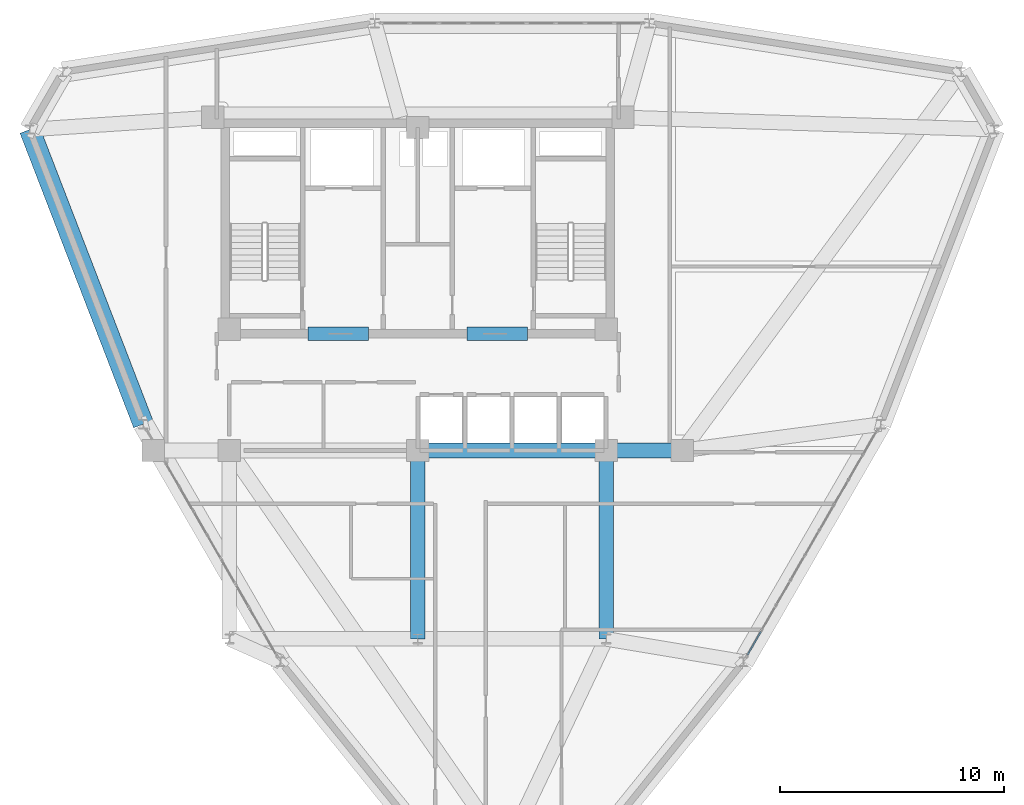
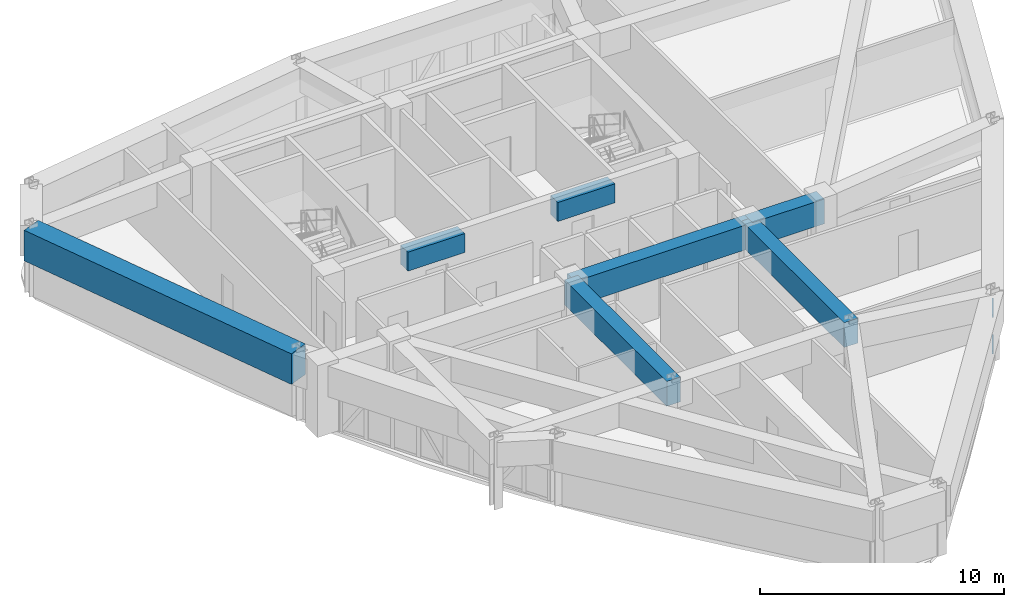
# One storey, part 8 of 19: 7 beams, 2 members, 1 element without a shape of its own.
"""IFC4 building model written with IfcOpenShell, lengths in metres."""

import ifcopenshell
import ifcopenshell.guid

model = None  # the IFC model being written
_history = None  # IfcOwnerHistory: only IFC2X3 demands one
_inside = {}  # id of a spatial element -> (the spatial element, [elements in it])
_under = {}  # id of a project, library or spatial element -> (it, [spatial elements below it])
_declared = {}  # id of a project -> (the project, [libraries it declares])
_typed = {}  # id of a type object -> (the type object, [elements of that type])
_made_of = {}  # id of a material, layer set ... -> (it, [elements and type objects made of it])


def new_model(schema):
    """Start an empty IFC model of exactly this schema.

    Asked for "IFC4X3", IfcOpenShell would pick the latest addendum, in which some entities
    have other attributes; the version numbers below select the first issue.
    IFC2X3 requires an IfcOwnerHistory on every rooted entity: one is made here for all.
    """
    global model, _history
    if schema == "IFC4X3":
        model = ifcopenshell.file(schema_version=(4, 3, 0, 0))
    else:
        model = ifcopenshell.file(schema=schema)
    _inside.clear()
    _under.clear()
    _declared.clear()
    _typed.clear()
    _made_of.clear()
    _history = None
    if model.schema == "IFC2X3":
        org = make("IfcOrganization", Name="unknown")
        user = make(
            "IfcPersonAndOrganization",
            ThePerson=make("IfcPerson", FamilyName="unknown"),
            TheOrganization=org,
        )
        app = make(
            "IfcApplication",
            ApplicationDeveloper=org,
            Version="unknown",
            ApplicationFullName="unknown",
            ApplicationIdentifier="unknown",
        )
        _history = make(
            "IfcOwnerHistory",
            OwningUser=user,
            OwningApplication=app,
            ChangeAction="ADDED",
            CreationDate=0,
        )
    return model


def make(cls, **values):
    """One entity of the class cls with the attributes given. An attribute that is None is left unset."""
    return model.create_entity(
        cls, **{name: value for name, value in values.items() if value is not None}
    )


def rooted(cls, **values):
    """An entity with a GlobalId (a new one), such as an element, a storey or a relation."""
    return make(cls, GlobalId=ifcopenshell.guid.new(), OwnerHistory=_history, **values)


def si_unit(unit_type, name, prefix=None):
    """IfcSIUnit, for example si_unit("LENGTHUNIT", "METRE", prefix="MILLI")."""
    return make("IfcSIUnit", UnitType=unit_type, Prefix=prefix, Name=name)


def derived_unit(unit_type, elements):
    """IfcDerivedUnit: a product of units, each with its exponent."""
    return make(
        "IfcDerivedUnit",
        Elements=[
            make("IfcDerivedUnitElement", Unit=unit, Exponent=power)
            for unit, power in elements
        ],
        UnitType=unit_type,
    )


def assignment(units):
    """IfcUnitAssignment: the units of a project."""
    return None if units is None else make("IfcUnitAssignment", Units=units)


def point(xyz):
    """IfcCartesianPoint."""
    return None if xyz is None else make("IfcCartesianPoint", Coordinates=xyz)


def direction(xyz):
    """IfcDirection."""
    return None if xyz is None else make("IfcDirection", DirectionRatios=xyz)


def frame(location, z_axis=None, x_axis=None):
    """IfcAxis2Placement3D, a coordinate frame: its origin and axes. An axis left out is left unset."""
    return make(
        "IfcAxis2Placement3D",
        Location=point(location),
        Axis=direction(z_axis),
        RefDirection=direction(x_axis),
    )


def frame_2d(location, x_axis=None):
    """IfcAxis2Placement2D, a coordinate frame in the plane: its origin and x axis."""
    return make(
        "IfcAxis2Placement2D", Location=point(location), RefDirection=direction(x_axis)
    )


def origin():
    """The frame at (0, 0, 0) with its axes left unset."""
    return frame((0.0, 0.0, 0.0))


def origin_2d():
    """The frame at (0, 0) in the plane with its x axis left unset."""
    return frame_2d((0.0, 0.0))


def place(relative_to, where):
    """IfcLocalPlacement: puts the frame where relative to a parent placement (None: the world)."""
    return make(
        "IfcLocalPlacement", PlacementRelTo=relative_to, RelativePlacement=where
    )


def context(
    kind, dimensions, precision=None, world=None, true_north=None, identifier=None
):
    """IfcGeometricRepresentationContext, for example the 3D "Model" context."""
    return make(
        "IfcGeometricRepresentationContext",
        ContextIdentifier=identifier,
        ContextType=kind,
        CoordinateSpaceDimension=dimensions,
        Precision=precision,
        WorldCoordinateSystem=world,
        TrueNorth=true_north,
    )


def subcontext(parent, identifier, kind, view, scale=None):
    """IfcGeometricRepresentationSubContext, for example "Body" below "Model"."""
    return make(
        "IfcGeometricRepresentationSubContext",
        ContextIdentifier=identifier,
        ContextType=kind,
        ParentContext=parent,
        TargetScale=scale,
        TargetView=view,
    )


def project(units=None, contexts=None):
    """IfcProject with its units and contexts."""
    return rooted(
        "IfcProject",
        Name="project",
        RepresentationContexts=contexts,
        UnitsInContext=assignment(units),
    )


def spatial(cls, under=None, at=None, **own):
    """A site, building, storey or space (cls), placed at a placement, below another one or the project."""
    s = rooted(cls, ObjectPlacement=at, **own)
    if under is not None:
        _under.setdefault(under.id(), (under, []))[1].append(s)
    return s


def profile(cls, at=None, kind="AREA", **sizes):
    """A parametric profile (cls). Its sizes go by their IFC names, for example OverallWidth=200.0."""
    return make(cls, ProfileType=kind, Position=at, **sizes)


def rectangle(**sizes):
    """IfcRectangleProfileDef."""
    return profile("IfcRectangleProfileDef", **sizes)


def hollow_rectangle(**sizes):
    """IfcRectangleHollowProfileDef."""
    return profile("IfcRectangleHollowProfileDef", **sizes)


def extrude(swept, where, along, depth):
    """IfcExtrudedAreaSolid: the profile swept, set in the frame where, extruded along a direction by depth."""
    return make(
        "IfcExtrudedAreaSolid",
        SweptArea=swept,
        Position=where,
        ExtrudedDirection=direction(along),
        Depth=depth,
    )


def shape(context_of_items, identifier, shape_type, items):
    """IfcShapeRepresentation: the items that make up one representation, for example the "Body"."""
    return make(
        "IfcShapeRepresentation",
        ContextOfItems=context_of_items,
        RepresentationIdentifier=identifier,
        RepresentationType=shape_type,
        Items=items,
    )


def source(mapping_origin, context_of_items, identifier, shape_type, items):
    """IfcRepresentationMap: a shape defined once, which mapped items show again and again."""
    return make(
        "IfcRepresentationMap",
        MappingOrigin=mapping_origin,
        MappedRepresentation=shape(context_of_items, identifier, shape_type, items),
    )


def transform(
    local_origin,
    x_axis=None,
    y_axis=None,
    z_axis=None,
    scale=None,
    scale2=None,
    scale3=None,
    uniform=True,
):
    """IfcCartesianTransformationOperator3D, or its non-uniform kind. x_axis, y_axis, z_axis: its Axis1, 2, 3."""
    if uniform:
        return make(
            "IfcCartesianTransformationOperator3D",
            Axis1=direction(x_axis),
            Axis2=direction(y_axis),
            LocalOrigin=point(local_origin),
            Scale=scale,
            Axis3=direction(z_axis),
        )
    return make(
        "IfcCartesianTransformationOperator3DnonUniform",
        Axis1=direction(x_axis),
        Axis2=direction(y_axis),
        LocalOrigin=point(local_origin),
        Scale=scale,
        Axis3=direction(z_axis),
        Scale2=scale2,
        Scale3=scale3,
    )


def mapped(mapping_source, mapping_target):
    """IfcMappedItem: shows the shape of a source again, moved by a transform."""
    return make(
        "IfcMappedItem", MappingSource=mapping_source, MappingTarget=mapping_target
    )


def material(Name=None, Category=None):
    """IfcMaterial."""
    return make("IfcMaterial", Name=Name, Category=Category)


def layer(
    of_material, thickness, ventilated=None, Name=None, Category=None, Priority=None
):
    """IfcMaterialLayer: one layer of a wall or slab, of a material (None: an air gap)."""
    return make(
        "IfcMaterialLayer",
        Material=of_material,
        LayerThickness=thickness,
        IsVentilated=ventilated,
        Name=Name,
        Category=Category,
        Priority=Priority,
    )


def layer_set(layers, Name=None):
    """IfcMaterialLayerSet."""
    return make("IfcMaterialLayerSet", MaterialLayers=layers, LayerSetName=Name)


def material_profile(
    of_material, cross_section, Name=None, Category=None, Priority=None
):
    """IfcMaterialProfile: a cross section and its material."""
    return make(
        "IfcMaterialProfile",
        Name=Name,
        Material=of_material,
        Profile=cross_section,
        Priority=Priority,
        Category=Category,
    )


def profile_set(profiles, Name=None, composite=None):
    """IfcMaterialProfileSet."""
    return make(
        "IfcMaterialProfileSet",
        Name=Name,
        MaterialProfiles=profiles,
        CompositeProfile=composite,
    )


def made_of(thing, what):
    """Note that an element or type object is made of a material, layer set ...; save() writes the relation."""
    if what is not None:
        _made_of.setdefault(what.id(), (what, []))[1].append(thing)
    return thing


def type_object(cls, material=None, **own):
    """A type object (cls), such as IfcWallType, which elements share."""
    return made_of(rooted(cls, **own), material)


def element(
    cls,
    number,
    at=None,
    inside=None,
    cuts=None,
    type_object=None,
    material=None,
    context=None,
    identifier="Body",
    shape_type=None,
    held_by="IfcProductDefinitionShape",
    body=None,
    shapes=None,
    **own,
):
    """One element of the class cls, such as IfcWall. Its Tag is "e" and its number.

    at: its placement. inside: the storey or other place that contains it. cuts: it is an
    opening in that element (IfcRelVoidsElement). A single representation is given by context,
    identifier, shape_type and body (its items); several are given by shapes. held_by: the class
    of the entity that holds the representations. save() writes the other relations.
    """
    e = rooted(cls, Tag="e%d" % number, ObjectPlacement=at, **own)
    if body is not None:
        shapes = [shape(context, identifier, shape_type, body)]
    if shapes is not None:
        e.Representation = make(held_by, Representations=shapes)
    if inside is not None:
        _inside.setdefault(inside.id(), (inside, []))[1].append(e)
    if cuts is not None:
        rooted(
            "IfcRelVoidsElement", RelatingBuildingElement=cuts, RelatedOpeningElement=e
        )
    if type_object is not None:
        _typed.setdefault(type_object.id(), (type_object, []))[1].append(e)
    return made_of(e, material)


def aggregate(whole, parts):
    """IfcRelAggregates: a whole, such as a stair, and the parts it consists of."""
    return rooted("IfcRelAggregates", RelatingObject=whole, RelatedObjects=parts)


def save(model, path):
    """Write the relations noted so far, then the file.

    IfcRelAggregates (storeys below a building ...), IfcRelContainedInSpatialStructure (elements
    in a storey), IfcRelDefinesByType, IfcRelAssociatesMaterial and IfcRelDeclares: one each for
    every whole, place, type object, material and project.
    """
    for whole, parts in _under.values():
        aggregate(whole, parts)
    for where, things in _inside.values():
        rooted(
            "IfcRelContainedInSpatialStructure",
            RelatedElements=things,
            RelatingStructure=where,
        )
    for kind, things in _typed.values():
        rooted("IfcRelDefinesByType", RelatedObjects=things, RelatingType=kind)
    for what, things in _made_of.values():
        rooted("IfcRelAssociatesMaterial", RelatedObjects=things, RelatingMaterial=what)
    for by, libraries in _declared.values():
        rooted("IfcRelDeclares", RelatingContext=by, RelatedDefinitions=libraries)
    model.write(path)


model = new_model("IFC4")

# Units and contexts
model_context = context("Model", 3, precision=1e-05, world=origin(), true_north=direction((0.0, 1.0)))
body_context = subcontext(model_context, "Body", "Model", "MODEL_VIEW")
ifc_project = project(units=[si_unit("LENGTHUNIT", "METRE"), si_unit("AREAUNIT", "SQUARE_METRE"), si_unit("VOLUMEUNIT", "CUBIC_METRE"), si_unit("PLANEANGLEUNIT", "RADIAN"), si_unit("MASSUNIT", "GRAM", prefix="KILO"), derived_unit("THERMALTRANSMITTANCEUNIT", [(si_unit("POWERUNIT", "WATT"), 1), (si_unit("LENGTHUNIT", "METRE"), -2), (si_unit("THERMODYNAMICTEMPERATUREUNIT", "KELVIN"), -1)])], contexts=[model_context])

# Site, building, storey
site_placement = place(None, origin())
site = spatial("IfcSite", under=ifc_project, at=site_placement, CompositionType="ELEMENT")
building_placement = place(site_placement, origin())
building = spatial("IfcBuilding", under=site, at=building_placement, Name="Korsvarv Bourse and Concert Hall", CompositionType="ELEMENT")
storey_placement = place(building_placement, frame((0.0, 0.0, 223.800048828125)))
storey = spatial("IfcBuildingStorey", under=building, at=storey_placement, Name="L58", CompositionType="ELEMENT", Elevation=223.800048828125)

# Beams
ifc_material_1 = material(Name="Concrete C55/67", Category="concrete")
ifc_material_profile_1 = material_profile(ifc_material_1, rectangle(XDim=0.60009765625, YDim=0.949951171875, at=origin_2d()), Name="RC-BM 600x950")
ifc_profile_set_1 = profile_set([ifc_material_profile_1], Name="Concrete C55/67")
beam_type_1 = type_object("IfcBeamType", Name="BM-CPL", PredefinedType="LINTEL", material=ifc_profile_set_1)
shared_shape_1 = source(origin(), body_context, "Body", "SweptSolid", [
    extrude(rectangle(XDim=0.60009765625, YDim=0.949951171875, at=origin_2d()), origin(), (0.0, 0.0, 1.0), 2.699951171875),
])
for number, where, z_axis, x_axis, name in (
    (1, (31.10009765625, 37.610107421875, 2.93505859375), (1.0, 0.0, 0.0), (0.0, 1.0, 0.0), "L58 Core Coupling Beam West"),
    (2, (38.199951171875, 37.610107421875, 2.93505859375), (1.0, 0.0, 0.0), (0.0, 1.0, 0.0), "L58 Core Coupling Beam East"),
):
    element("IfcBeam", number, at=place(storey_placement, frame(where, z_axis=z_axis, x_axis=x_axis)), inside=storey, type_object=beam_type_1, Name=name, PredefinedType="LINTEL", context=body_context, shape_type="MappedRepresentation", body=[
        mapped(shared_shape_1, transform((0.0, 0.0, 0.0), scale=1.0)),
    ])
ifc_material_2 = material(Name="Concrete C50/60", Category="concrete")
ifc_material_profile_2 = material_profile(ifc_material_2, rectangle(XDim=0.64990234375, YDim=1.239990234375, at=origin_2d()), Name="RC-BM 650x1240")
ifc_profile_set_2 = profile_set([ifc_material_profile_2], Name="Concrete C50/60")
beam_type_2 = type_object("IfcBeamType", Name="BM-TR-SPN", PredefinedType="BEAM", material=ifc_profile_set_2)
shared_shape_2 = source(origin(), body_context, "Body", "SweptSolid", [
    extrude(rectangle(XDim=0.64990234375, YDim=1.239990234375, at=origin_2d()), origin(), (0.0, 0.0, 1.0), 3.400146484375),
])
beam_1_placement = place(storey_placement, frame((44.39990234375, 32.39990234375, 2.7900390625), z_axis=(1.0, 0.0, 0.0), x_axis=(0.0, 1.0, 0.0)))
element("IfcBeam", 3, at=beam_1_placement, inside=storey, type_object=beam_type_2, Name="L58 beam B-TRS", PredefinedType="BEAM", context=body_context, shape_type="MappedRepresentation", body=[
    mapped(shared_shape_2, transform((0.0, 0.0, 0.0), scale=1.0)),
])
shared_shape_3 = source(origin(), body_context, "Body", "SweptSolid", [
    extrude(rectangle(XDim=0.64990234375, YDim=1.239990234375, at=origin_2d()), origin(), (0.0, 0.0, 1.0), 8.39990234375),
])
for number, where, z_axis, x_axis, name in (
    (4, (36.0, 32.39990234375, 2.7900390625), (1.0, 0.0, 0.0), (0.0, 1.0, 0.0), "L58 beam B-TRS"),
    (5, (36.0, 24.0, 2.7900390625), (0.0, 1.0, 0.0), (-1.0, 0.0, 0.0), "L58 beam B-TRS"),
    (6, (44.39990234375, 24.0, 2.7900390625), (0.0, 1.0, 0.0), (-1.0, 0.0, 0.0), "L58 beam B-TRS"),
):
    element("IfcBeam", number, at=place(storey_placement, frame(where, z_axis=z_axis, x_axis=x_axis)), inside=storey, type_object=beam_type_2, Name=name, PredefinedType="BEAM", context=body_context, shape_type="MappedRepresentation", body=[
        mapped(shared_shape_3, transform((0.0, 0.0, 0.0), scale=1.0)),
    ])
ifc_material_profile_3 = material_profile(ifc_material_2, rectangle(XDim=0.919921875, YDim=1.530029296875, at=origin_2d()), Name="RC-BM 920x1530")
ifc_profile_set_3 = profile_set([ifc_material_profile_3], Name="Concrete C50/60")
beam_type_3 = type_object("IfcBeamType", Name="BM-TR-154", PredefinedType="BEAM", material=ifc_profile_set_3)
shared_shape_4 = source(origin(), body_context, "Body", "SweptSolid", [
    extrude(rectangle(XDim=0.919921875, YDim=1.530029296875, at=origin_2d()), origin(), (0.0, 0.0, 1.0), 14.077880859375),
])
beam_2_placement = place(storey_placement, frame((18.69287109375, 46.70849609375, 2.64501953125), z_axis=(0.359967818551, -0.932964720452, 0.0), x_axis=(0.932964720452, 0.359967818551, 0.0)))
element("IfcBeam", 7, at=beam_2_placement, inside=storey, type_object=beam_type_3, Name="L58 beam B-TR6", PredefinedType="BEAM", context=body_context, shape_type="MappedRepresentation", body=[
    mapped(shared_shape_4, transform((0.0, 0.0, 0.0), scale=1.0)),
])

# Curtain wall, members
ifc_material_3 = material(Name="Anodised aluminium and triple low-E glazing", Category="glass")
ifc_layer = layer(ifc_material_3, 0.199951171875)
ifc_layer_set = layer_set([ifc_layer], Name="Anodised aluminium and triple low-E glazing")
curtain_wall_type = type_object("IfcCurtainWallType", Name="CW-SYS-3", PredefinedType="NOTDEFINED", material=ifc_layer_set)
curtain_wall_placement = place(storey_placement, origin())
curtain_wall = element("IfcCurtainWall", 8, at=curtain_wall_placement, inside=storey, type_object=curtain_wall_type, Name="L58 CW3 curtain wall CW-L58-F11", PredefinedType="NOTDEFINED")
ifc_material_4 = material(Name="Extruded aluminium EN AW-6063 T66", Category="aluminium")
ifc_material_profile_4 = material_profile(ifc_material_4, hollow_rectangle(XDim=0.06494140625, YDim=0.139892578125, WallThickness=0.00390625, at=origin_2d()), Name="ALU-T 65x140")
ifc_profile_set_4 = profile_set([ifc_material_profile_4], Name="Extruded aluminium EN AW-6063 T66")
member_type = type_object("IfcMemberType", Name="CWT-140", PredefinedType="USERDEFINED", material=ifc_profile_set_4)
shared_shape_5 = source(origin(), body_context, "Body", "SweptSolid", [
    extrude(hollow_rectangle(XDim=0.06494140625, YDim=0.139892578125, WallThickness=0.00390625, at=origin_2d()), origin(), (0.0, 0.0, 1.0), 1.1884765625),
])
member_1_placement = place(storey_placement, frame((50.70458984375, 23.29443359375, 0.032470703125), z_axis=(0.499983247966, 0.86603507536, 0.0), x_axis=(-0.86603507536, 0.499983247966, 0.0)))
member_1 = element("IfcMember", 9, at=member_1_placement, type_object=member_type, Name="CW3 transom 1.1", ObjectType="TRANSOM", PredefinedType="USERDEFINED", context=body_context, shape_type="MappedRepresentation", body=[
    mapped(shared_shape_5, transform((0.0, 0.0, 0.0), scale=1.0)),
])
member_2_placement = place(storey_placement, frame((50.70458984375, 23.29443359375, 1.847412109375), z_axis=(0.499983247966, 0.86603507536, 0.0), x_axis=(-0.86603507536, 0.499983247966, 0.0)))
member_2 = element("IfcMember", 10, at=member_2_placement, type_object=member_type, Name="CW3 transom 1.2", ObjectType="TRANSOM", PredefinedType="USERDEFINED", context=body_context, shape_type="MappedRepresentation", body=[
    mapped(shared_shape_5, transform((0.0, 0.0, 0.0), scale=1.0)),
])
aggregate(curtain_wall, [member_1, member_2])

save(model, "model.ifc")
